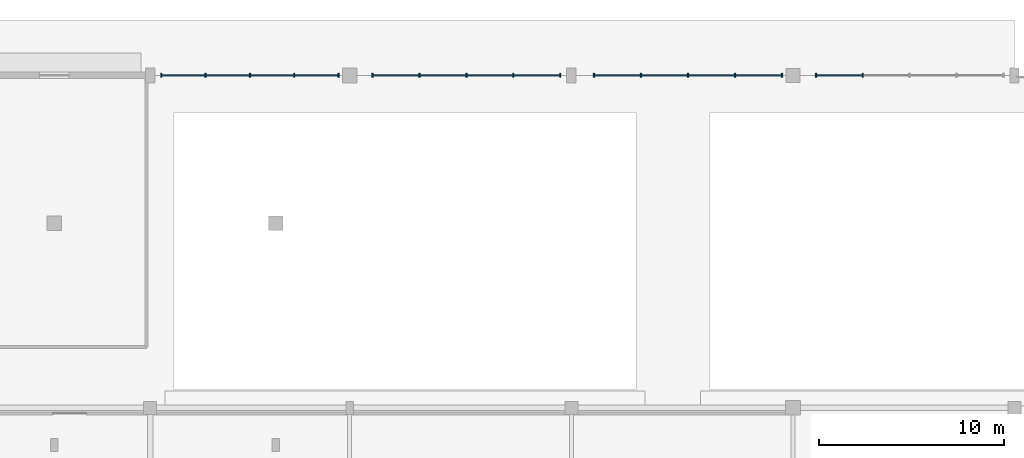
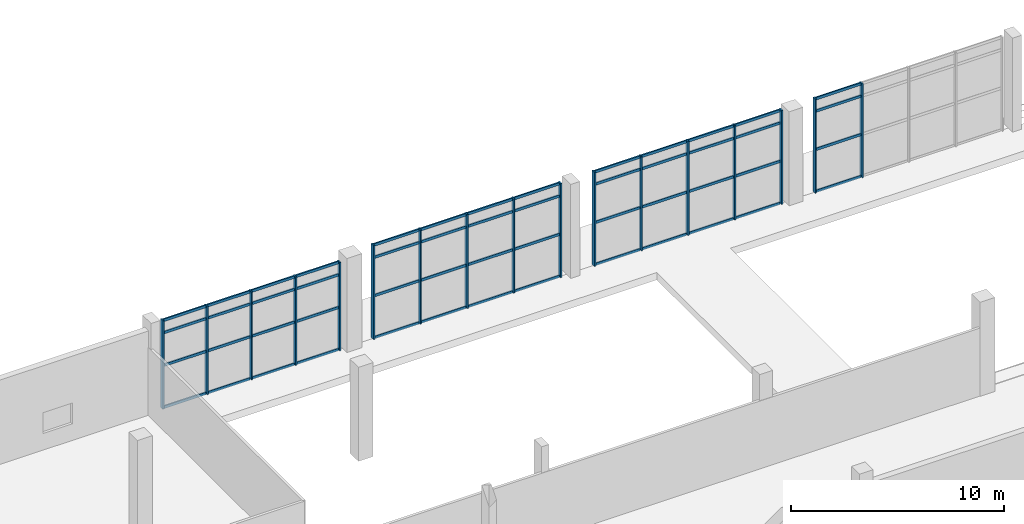
# One storey, part 44 of 85: 69 members, 4 elements without a shape of their own.
"""IFC4 building model written with IfcOpenShell, lengths in metres."""

import ifcopenshell
import ifcopenshell.guid

model = None  # the IFC model being written
_history = None  # IfcOwnerHistory: only IFC2X3 demands one
_inside = {}  # id of a spatial element -> (the spatial element, [elements in it])
_under = {}  # id of a project, library or spatial element -> (it, [spatial elements below it])
_declared = {}  # id of a project -> (the project, [libraries it declares])
_typed = {}  # id of a type object -> (the type object, [elements of that type])
_made_of = {}  # id of a material, layer set ... -> (it, [elements and type objects made of it])


def new_model(schema):
    """Start an empty IFC model of exactly this schema.

    Asked for "IFC4X3", IfcOpenShell would pick the latest addendum, in which some entities
    have other attributes; the version numbers below select the first issue.
    IFC2X3 requires an IfcOwnerHistory on every rooted entity: one is made here for all.
    """
    global model, _history
    if schema == "IFC4X3":
        model = ifcopenshell.file(schema_version=(4, 3, 0, 0))
    else:
        model = ifcopenshell.file(schema=schema)
    _inside.clear()
    _under.clear()
    _declared.clear()
    _typed.clear()
    _made_of.clear()
    _history = None
    if model.schema == "IFC2X3":
        org = make("IfcOrganization", Name="unknown")
        user = make(
            "IfcPersonAndOrganization",
            ThePerson=make("IfcPerson", FamilyName="unknown"),
            TheOrganization=org,
        )
        app = make(
            "IfcApplication",
            ApplicationDeveloper=org,
            Version="unknown",
            ApplicationFullName="unknown",
            ApplicationIdentifier="unknown",
        )
        _history = make(
            "IfcOwnerHistory",
            OwningUser=user,
            OwningApplication=app,
            ChangeAction="ADDED",
            CreationDate=0,
        )
    return model


def make(cls, **values):
    """One entity of the class cls with the attributes given. An attribute that is None is left unset."""
    return model.create_entity(
        cls, **{name: value for name, value in values.items() if value is not None}
    )


def rooted(cls, **values):
    """An entity with a GlobalId (a new one), such as an element, a storey or a relation."""
    return make(cls, GlobalId=ifcopenshell.guid.new(), OwnerHistory=_history, **values)


def si_unit(unit_type, name, prefix=None):
    """IfcSIUnit, for example si_unit("LENGTHUNIT", "METRE", prefix="MILLI")."""
    return make("IfcSIUnit", UnitType=unit_type, Prefix=prefix, Name=name)


def assignment(units):
    """IfcUnitAssignment: the units of a project."""
    return None if units is None else make("IfcUnitAssignment", Units=units)


def point(xyz):
    """IfcCartesianPoint."""
    return None if xyz is None else make("IfcCartesianPoint", Coordinates=xyz)


def direction(xyz):
    """IfcDirection."""
    return None if xyz is None else make("IfcDirection", DirectionRatios=xyz)


def frame(location, z_axis=None, x_axis=None):
    """IfcAxis2Placement3D, a coordinate frame: its origin and axes. An axis left out is left unset."""
    return make(
        "IfcAxis2Placement3D",
        Location=point(location),
        Axis=direction(z_axis),
        RefDirection=direction(x_axis),
    )


def frame_2d(location, x_axis=None):
    """IfcAxis2Placement2D, a coordinate frame in the plane: its origin and x axis."""
    return make(
        "IfcAxis2Placement2D", Location=point(location), RefDirection=direction(x_axis)
    )


def origin():
    """The frame at (0, 0, 0) with its axes left unset."""
    return frame((0.0, 0.0, 0.0))


def origin_2d():
    """The frame at (0, 0) in the plane with its x axis left unset."""
    return frame_2d((0.0, 0.0))


def place(relative_to, where):
    """IfcLocalPlacement: puts the frame where relative to a parent placement (None: the world)."""
    return make(
        "IfcLocalPlacement", PlacementRelTo=relative_to, RelativePlacement=where
    )


def context(
    kind, dimensions, precision=None, world=None, true_north=None, identifier=None
):
    """IfcGeometricRepresentationContext, for example the 3D "Model" context."""
    return make(
        "IfcGeometricRepresentationContext",
        ContextIdentifier=identifier,
        ContextType=kind,
        CoordinateSpaceDimension=dimensions,
        Precision=precision,
        WorldCoordinateSystem=world,
        TrueNorth=true_north,
    )


def subcontext(parent, identifier, kind, view, scale=None):
    """IfcGeometricRepresentationSubContext, for example "Body" below "Model"."""
    return make(
        "IfcGeometricRepresentationSubContext",
        ContextIdentifier=identifier,
        ContextType=kind,
        ParentContext=parent,
        TargetScale=scale,
        TargetView=view,
    )


def project(units=None, contexts=None):
    """IfcProject with its units and contexts."""
    return rooted(
        "IfcProject",
        Name="project",
        RepresentationContexts=contexts,
        UnitsInContext=assignment(units),
    )


def spatial(cls, under=None, at=None, **own):
    """A site, building, storey or space (cls), placed at a placement, below another one or the project."""
    s = rooted(cls, ObjectPlacement=at, **own)
    if under is not None:
        _under.setdefault(under.id(), (under, []))[1].append(s)
    return s


def profile(cls, at=None, kind="AREA", **sizes):
    """A parametric profile (cls). Its sizes go by their IFC names, for example OverallWidth=200.0."""
    return make(cls, ProfileType=kind, Position=at, **sizes)


def rectangle(**sizes):
    """IfcRectangleProfileDef."""
    return profile("IfcRectangleProfileDef", **sizes)


def extrude(swept, where, along, depth):
    """IfcExtrudedAreaSolid: the profile swept, set in the frame where, extruded along a direction by depth."""
    return make(
        "IfcExtrudedAreaSolid",
        SweptArea=swept,
        Position=where,
        ExtrudedDirection=direction(along),
        Depth=depth,
    )


def shape(context_of_items, identifier, shape_type, items):
    """IfcShapeRepresentation: the items that make up one representation, for example the "Body"."""
    return make(
        "IfcShapeRepresentation",
        ContextOfItems=context_of_items,
        RepresentationIdentifier=identifier,
        RepresentationType=shape_type,
        Items=items,
    )


def material(Name=None, Category=None):
    """IfcMaterial."""
    return make("IfcMaterial", Name=Name, Category=Category)


def material_profile(
    of_material, cross_section, Name=None, Category=None, Priority=None
):
    """IfcMaterialProfile: a cross section and its material."""
    return make(
        "IfcMaterialProfile",
        Name=Name,
        Material=of_material,
        Profile=cross_section,
        Priority=Priority,
        Category=Category,
    )


def profile_set(profiles, Name=None, composite=None):
    """IfcMaterialProfileSet."""
    return make(
        "IfcMaterialProfileSet",
        Name=Name,
        MaterialProfiles=profiles,
        CompositeProfile=composite,
    )


def made_of(thing, what):
    """Note that an element or type object is made of a material, layer set ...; save() writes the relation."""
    if what is not None:
        _made_of.setdefault(what.id(), (what, []))[1].append(thing)
    return thing


def type_object(cls, material=None, **own):
    """A type object (cls), such as IfcWallType, which elements share."""
    return made_of(rooted(cls, **own), material)


def element(
    cls,
    number,
    at=None,
    inside=None,
    cuts=None,
    type_object=None,
    material=None,
    context=None,
    identifier="Body",
    shape_type=None,
    held_by="IfcProductDefinitionShape",
    body=None,
    shapes=None,
    **own,
):
    """One element of the class cls, such as IfcWall. Its Tag is "e" and its number.

    at: its placement. inside: the storey or other place that contains it. cuts: it is an
    opening in that element (IfcRelVoidsElement). A single representation is given by context,
    identifier, shape_type and body (its items); several are given by shapes. held_by: the class
    of the entity that holds the representations. save() writes the other relations.
    """
    e = rooted(cls, Tag="e%d" % number, ObjectPlacement=at, **own)
    if body is not None:
        shapes = [shape(context, identifier, shape_type, body)]
    if shapes is not None:
        e.Representation = make(held_by, Representations=shapes)
    if inside is not None:
        _inside.setdefault(inside.id(), (inside, []))[1].append(e)
    if cuts is not None:
        rooted(
            "IfcRelVoidsElement", RelatingBuildingElement=cuts, RelatedOpeningElement=e
        )
    if type_object is not None:
        _typed.setdefault(type_object.id(), (type_object, []))[1].append(e)
    return made_of(e, material)


def aggregate(whole, parts):
    """IfcRelAggregates: a whole, such as a stair, and the parts it consists of."""
    return rooted("IfcRelAggregates", RelatingObject=whole, RelatedObjects=parts)


def save(model, path):
    """Write the relations noted so far, then the file.

    IfcRelAggregates (storeys below a building ...), IfcRelContainedInSpatialStructure (elements
    in a storey), IfcRelDefinesByType, IfcRelAssociatesMaterial and IfcRelDeclares: one each for
    every whole, place, type object, material and project.
    """
    for whole, parts in _under.values():
        aggregate(whole, parts)
    for where, things in _inside.values():
        rooted(
            "IfcRelContainedInSpatialStructure",
            RelatedElements=things,
            RelatingStructure=where,
        )
    for kind, things in _typed.values():
        rooted("IfcRelDefinesByType", RelatedObjects=things, RelatingType=kind)
    for what, things in _made_of.values():
        rooted("IfcRelAssociatesMaterial", RelatedObjects=things, RelatingMaterial=what)
    for by, libraries in _declared.values():
        rooted("IfcRelDeclares", RelatingContext=by, RelatedDefinitions=libraries)
    model.write(path)


model = new_model("IFC4")

# Units and contexts
model_context = context("Model", 3, precision=1e-05, world=origin(), true_north=direction((0.0, 1.0)))
body_context = subcontext(model_context, "Body", "Model", "MODEL_VIEW")
ifc_project = project(units=[si_unit("LENGTHUNIT", "METRE"), si_unit("AREAUNIT", "SQUARE_METRE"), si_unit("VOLUMEUNIT", "CUBIC_METRE"), si_unit("PLANEANGLEUNIT", "RADIAN"), si_unit("MASSUNIT", "GRAM", prefix="KILO"), si_unit("THERMODYNAMICTEMPERATUREUNIT", "KELVIN"), si_unit("POWERUNIT", "WATT")], contexts=[model_context])

# Site, building, storey
site_placement = place(None, origin())
site = spatial("IfcSite", under=ifc_project, at=site_placement, CompositionType="ELEMENT")
building_placement = place(site_placement, origin())
building = spatial("IfcBuilding", under=site, at=building_placement, Name="Solmara Park Aquatics Centre", CompositionType="ELEMENT")
storey_placement = place(building_placement, origin())
storey = spatial("IfcBuildingStorey", under=building, at=storey_placement, Name="L00", CompositionType="ELEMENT", Elevation=0.0)

# Curtain wall, members
ifc_material_1 = material(Name="Anodised Aluminium Curtain Wall Framing", Category="aluminium")
curtain_wall_type = type_object("IfcCurtainWallType", Name="ARC-CW-SYS01", PredefinedType="USERDEFINED", material=ifc_material_1)
curtain_wall_1_placement = place(storey_placement, origin())
curtain_wall_1 = element("IfcCurtainWall", 1, at=curtain_wall_1_placement, inside=storey, type_object=curtain_wall_type, Name="Curtain Wall CW-113", ObjectType="CURTAIN WALL", PredefinedType="USERDEFINED")
ifc_material_2 = material(Name="Anodised Aluminium Alloy 6063-T6", Category="aluminium")
ifc_material_profile_1 = material_profile(ifc_material_2, rectangle(XDim=0.074951171875, YDim=0.219970703125, at=origin_2d()), Name="ALU MULLION 75x220")
ifc_profile_set_1 = profile_set([ifc_material_profile_1], Name="Anodised Aluminium Alloy 6063-T6")
member_type_1 = type_object("IfcMemberType", Name="ARC-CWM-75x220", PredefinedType="MULLION", material=ifc_profile_set_1)
member_1_placement = place(storey_placement, frame((109.800048828125, 136.0, 0.0), z_axis=(0.0, 0.0, 1.0), x_axis=(1.0, 0.0, 0.0)))
member_1 = element("IfcMember", 2, at=member_1_placement, type_object=member_type_1, Name="CW-113 mullion 1", PredefinedType="MULLION", context=body_context, shape_type="SweptSolid", body=[
    extrude(rectangle(XDim=0.074951171875, YDim=0.219970703125, at=origin_2d()), origin(), (0.0, 0.0, 1.0), 5.080078125),
])
member_2_placement = place(storey_placement, frame((112.199951171875, 136.0, 0.0), z_axis=(0.0, 0.0, 1.0), x_axis=(1.0, 0.0, 0.0)))
member_2 = element("IfcMember", 3, at=member_2_placement, type_object=member_type_1, Name="CW-113 mullion 2", PredefinedType="MULLION", context=body_context, shape_type="SweptSolid", body=[
    extrude(rectangle(XDim=0.074951171875, YDim=0.219970703125, at=origin_2d()), origin(), (0.0, 0.0, 1.0), 5.080078125),
])
member_3_placement = place(storey_placement, frame((114.60009765625, 136.0, 0.0), z_axis=(0.0, 0.0, 1.0), x_axis=(1.0, 0.0, 0.0)))
member_3 = element("IfcMember", 4, at=member_3_placement, type_object=member_type_1, Name="CW-113 mullion 3", PredefinedType="MULLION", context=body_context, shape_type="SweptSolid", body=[
    extrude(rectangle(XDim=0.074951171875, YDim=0.219970703125, at=origin_2d()), origin(), (0.0, 0.0, 1.0), 5.080078125),
])
member_4_placement = place(storey_placement, frame((117.0, 136.0, 0.0), z_axis=(0.0, 0.0, 1.0), x_axis=(1.0, 0.0, 0.0)))
member_4 = element("IfcMember", 5, at=member_4_placement, type_object=member_type_1, Name="CW-113 mullion 4", PredefinedType="MULLION", context=body_context, shape_type="SweptSolid", body=[
    extrude(rectangle(XDim=0.074951171875, YDim=0.219970703125, at=origin_2d()), origin(), (0.0, 0.0, 1.0), 5.080078125),
])
member_5_placement = place(storey_placement, frame((119.39990234375, 136.0, 0.0), z_axis=(0.0, 0.0, 1.0), x_axis=(1.0, 0.0, 0.0)))
member_5 = element("IfcMember", 6, at=member_5_placement, type_object=member_type_1, Name="CW-113 mullion 5", PredefinedType="MULLION", context=body_context, shape_type="SweptSolid", body=[
    extrude(rectangle(XDim=0.074951171875, YDim=0.219970703125, at=origin_2d()), origin(), (0.0, 0.0, 1.0), 5.080078125),
])

curtain_wall_2_placement = place(storey_placement, origin())
curtain_wall_2 = element("IfcCurtainWall", 7, at=curtain_wall_2_placement, inside=storey, type_object=curtain_wall_type, Name="Curtain Wall CW-114", ObjectType="CURTAIN WALL", PredefinedType="USERDEFINED")
member_6_placement = place(storey_placement, frame((121.239990234375, 136.0, 0.0), z_axis=(0.0, 0.0, 1.0), x_axis=(1.0, 0.0, 0.0)))
member_6 = element("IfcMember", 8, at=member_6_placement, type_object=member_type_1, Name="CW-114 mullion 1", PredefinedType="MULLION", context=body_context, shape_type="SweptSolid", body=[
    extrude(rectangle(XDim=0.074951171875, YDim=0.219970703125, at=origin_2d()), origin(), (0.0, 0.0, 1.0), 5.39990234375),
])
member_7_placement = place(storey_placement, frame((123.780029296875, 136.0, 0.0), z_axis=(0.0, 0.0, 1.0), x_axis=(1.0, 0.0, 0.0)))
member_7 = element("IfcMember", 9, at=member_7_placement, type_object=member_type_1, Name="CW-114 mullion 2", PredefinedType="MULLION", context=body_context, shape_type="SweptSolid", body=[
    extrude(rectangle(XDim=0.074951171875, YDim=0.219970703125, at=origin_2d()), origin(), (0.0, 0.0, 1.0), 5.39990234375),
])
member_8_placement = place(storey_placement, frame((126.320068359375, 136.0, 0.0), z_axis=(0.0, 0.0, 1.0), x_axis=(1.0, 0.0, 0.0)))
member_8 = element("IfcMember", 10, at=member_8_placement, type_object=member_type_1, Name="CW-114 mullion 3", PredefinedType="MULLION", context=body_context, shape_type="SweptSolid", body=[
    extrude(rectangle(XDim=0.074951171875, YDim=0.219970703125, at=origin_2d()), origin(), (0.0, 0.0, 1.0), 5.39990234375),
])
member_9_placement = place(storey_placement, frame((128.860107421875, 136.0, 0.0), z_axis=(0.0, 0.0, 1.0), x_axis=(1.0, 0.0, 0.0)))
member_9 = element("IfcMember", 11, at=member_9_placement, type_object=member_type_1, Name="CW-114 mullion 4", PredefinedType="MULLION", context=body_context, shape_type="SweptSolid", body=[
    extrude(rectangle(XDim=0.074951171875, YDim=0.219970703125, at=origin_2d()), origin(), (0.0, 0.0, 1.0), 5.39990234375),
])
member_10_placement = place(storey_placement, frame((131.39990234375, 136.0, 0.0), z_axis=(0.0, 0.0, 1.0), x_axis=(1.0, 0.0, 0.0)))
member_10 = element("IfcMember", 12, at=member_10_placement, type_object=member_type_1, Name="CW-114 mullion 5", PredefinedType="MULLION", context=body_context, shape_type="SweptSolid", body=[
    extrude(rectangle(XDim=0.074951171875, YDim=0.219970703125, at=origin_2d()), origin(), (0.0, 0.0, 1.0), 5.39990234375),
])

curtain_wall_3_placement = place(storey_placement, origin())
curtain_wall_3 = element("IfcCurtainWall", 13, at=curtain_wall_3_placement, inside=storey, type_object=curtain_wall_type, Name="Curtain Wall CW-115", ObjectType="CURTAIN WALL", PredefinedType="USERDEFINED")
member_11_placement = place(storey_placement, frame((133.239990234375, 136.0, 0.0), z_axis=(0.0, 0.0, 1.0), x_axis=(1.0, 0.0, 0.0)))
member_11 = element("IfcMember", 14, at=member_11_placement, type_object=member_type_1, Name="CW-115 mullion 1", PredefinedType="MULLION", context=body_context, shape_type="SweptSolid", body=[
    extrude(rectangle(XDim=0.074951171875, YDim=0.219970703125, at=origin_2d()), origin(), (0.0, 0.0, 1.0), 5.39990234375),
])
member_12_placement = place(storey_placement, frame((135.780029296875, 136.0, 0.0), z_axis=(0.0, 0.0, 1.0), x_axis=(1.0, 0.0, 0.0)))
member_12 = element("IfcMember", 15, at=member_12_placement, type_object=member_type_1, Name="CW-115 mullion 2", PredefinedType="MULLION", context=body_context, shape_type="SweptSolid", body=[
    extrude(rectangle(XDim=0.074951171875, YDim=0.219970703125, at=origin_2d()), origin(), (0.0, 0.0, 1.0), 5.39990234375),
])
member_13_placement = place(storey_placement, frame((138.320068359375, 136.0, 0.0), z_axis=(0.0, 0.0, 1.0), x_axis=(1.0, 0.0, 0.0)))
member_13 = element("IfcMember", 16, at=member_13_placement, type_object=member_type_1, Name="CW-115 mullion 3", PredefinedType="MULLION", context=body_context, shape_type="SweptSolid", body=[
    extrude(rectangle(XDim=0.074951171875, YDim=0.219970703125, at=origin_2d()), origin(), (0.0, 0.0, 1.0), 5.39990234375),
])
member_14_placement = place(storey_placement, frame((140.860107421875, 136.0, 0.0), z_axis=(0.0, 0.0, 1.0), x_axis=(1.0, 0.0, 0.0)))
member_14 = element("IfcMember", 17, at=member_14_placement, type_object=member_type_1, Name="CW-115 mullion 4", PredefinedType="MULLION", context=body_context, shape_type="SweptSolid", body=[
    extrude(rectangle(XDim=0.074951171875, YDim=0.219970703125, at=origin_2d()), origin(), (0.0, 0.0, 1.0), 5.39990234375),
])
member_15_placement = place(storey_placement, frame((143.39990234375, 136.0, 0.0), z_axis=(0.0, 0.0, 1.0), x_axis=(1.0, 0.0, 0.0)))
member_15 = element("IfcMember", 18, at=member_15_placement, type_object=member_type_1, Name="CW-115 mullion 5", PredefinedType="MULLION", context=body_context, shape_type="SweptSolid", body=[
    extrude(rectangle(XDim=0.074951171875, YDim=0.219970703125, at=origin_2d()), origin(), (0.0, 0.0, 1.0), 5.39990234375),
])

curtain_wall_4_placement = place(storey_placement, origin())
curtain_wall_4 = element("IfcCurtainWall", 19, at=curtain_wall_4_placement, inside=storey, type_object=curtain_wall_type, Name="Curtain Wall CW-116", ObjectType="CURTAIN WALL", PredefinedType="USERDEFINED")
member_16_placement = place(storey_placement, frame((145.239990234375, 136.0, 0.0), z_axis=(0.0, 0.0, 1.0), x_axis=(1.0, 0.0, 0.0)))
member_16 = element("IfcMember", 20, at=member_16_placement, type_object=member_type_1, Name="CW-116 mullion 1", PredefinedType="MULLION", context=body_context, shape_type="SweptSolid", body=[
    extrude(rectangle(XDim=0.074951171875, YDim=0.219970703125, at=origin_2d()), origin(), (0.0, 0.0, 1.0), 5.39990234375),
])
member_17_placement = place(storey_placement, frame((147.780029296875, 136.0, 0.0), z_axis=(0.0, 0.0, 1.0), x_axis=(1.0, 0.0, 0.0)))
member_17 = element("IfcMember", 21, at=member_17_placement, type_object=member_type_1, Name="CW-116 mullion 2", PredefinedType="MULLION", context=body_context, shape_type="SweptSolid", body=[
    extrude(rectangle(XDim=0.074951171875, YDim=0.219970703125, at=origin_2d()), origin(), (0.0, 0.0, 1.0), 5.39990234375),
])

# Member
ifc_material_profile_2 = material_profile(ifc_material_2, rectangle(XDim=0.074951171875, YDim=0.14990234375, at=origin_2d()), Name="ALU TRANSOM 75x150")
ifc_profile_set_2 = profile_set([ifc_material_profile_2], Name="Anodised Aluminium Alloy 6063-T6")
member_type_2 = type_object("IfcMemberType", Name="ARC-CWT-75x150", PredefinedType="USERDEFINED", material=ifc_profile_set_2)
member_18_placement = place(storey_placement, frame((109.820068359375, 136.0, 0.0400390625), z_axis=(1.0, 0.0, 0.0), x_axis=(0.0, 1.0, 0.0)))
member_18 = element("IfcMember", 22, at=member_18_placement, type_object=member_type_2, Name="CW-113 transom 1", ObjectType="TRANSOM", PredefinedType="USERDEFINED", context=body_context, shape_type="SweptSolid", body=[
    extrude(rectangle(XDim=0.074951171875, YDim=0.14990234375, at=origin_2d()), origin(), (0.0, 0.0, 1.0), 2.31982421875),
])

member_19_placement = place(storey_placement, frame((109.820068359375, 136.0, 2.449951171875), z_axis=(1.0, 0.0, 0.0), x_axis=(0.0, 1.0, 0.0)))
member_19 = element("IfcMember", 23, at=member_19_placement, type_object=member_type_2, Name="CW-113 transom 2", ObjectType="TRANSOM", PredefinedType="USERDEFINED", context=body_context, shape_type="SweptSolid", body=[
    extrude(rectangle(XDim=0.074951171875, YDim=0.14990234375, at=origin_2d()), origin(), (0.0, 0.0, 1.0), 2.31982421875),
])

member_20_placement = place(storey_placement, frame((109.820068359375, 136.0, 4.330078125), z_axis=(1.0, 0.0, 0.0), x_axis=(0.0, 1.0, 0.0)))
member_20 = element("IfcMember", 24, at=member_20_placement, type_object=member_type_2, Name="CW-113 transom 3", ObjectType="TRANSOM", PredefinedType="USERDEFINED", context=body_context, shape_type="SweptSolid", body=[
    extrude(rectangle(XDim=0.074951171875, YDim=0.14990234375, at=origin_2d()), origin(), (0.0, 0.0, 1.0), 2.31982421875),
])

member_21_placement = place(storey_placement, frame((109.820068359375, 136.0, 5.0400390625), z_axis=(1.0, 0.0, 0.0), x_axis=(0.0, 1.0, 0.0)))
member_21 = element("IfcMember", 25, at=member_21_placement, type_object=member_type_2, Name="CW-113 transom 4", ObjectType="TRANSOM", PredefinedType="USERDEFINED", context=body_context, shape_type="SweptSolid", body=[
    extrude(rectangle(XDim=0.074951171875, YDim=0.14990234375, at=origin_2d()), origin(), (0.0, 0.0, 1.0), 2.31982421875),
])

member_22_placement = place(storey_placement, frame((112.219970703125, 136.0, 0.0400390625), z_axis=(1.0, 0.0, 0.0), x_axis=(0.0, 1.0, 0.0)))
member_22 = element("IfcMember", 26, at=member_22_placement, type_object=member_type_2, Name="CW-113 transom 5", ObjectType="TRANSOM", PredefinedType="USERDEFINED", context=body_context, shape_type="SweptSolid", body=[
    extrude(rectangle(XDim=0.074951171875, YDim=0.14990234375, at=origin_2d()), origin(), (0.0, 0.0, 1.0), 2.320068359375),
])

member_23_placement = place(storey_placement, frame((112.219970703125, 136.0, 2.449951171875), z_axis=(1.0, 0.0, 0.0), x_axis=(0.0, 1.0, 0.0)))
member_23 = element("IfcMember", 27, at=member_23_placement, type_object=member_type_2, Name="CW-113 transom 6", ObjectType="TRANSOM", PredefinedType="USERDEFINED", context=body_context, shape_type="SweptSolid", body=[
    extrude(rectangle(XDim=0.074951171875, YDim=0.14990234375, at=origin_2d()), origin(), (0.0, 0.0, 1.0), 2.320068359375),
])

member_24_placement = place(storey_placement, frame((112.219970703125, 136.0, 4.330078125), z_axis=(1.0, 0.0, 0.0), x_axis=(0.0, 1.0, 0.0)))
member_24 = element("IfcMember", 28, at=member_24_placement, type_object=member_type_2, Name="CW-113 transom 7", ObjectType="TRANSOM", PredefinedType="USERDEFINED", context=body_context, shape_type="SweptSolid", body=[
    extrude(rectangle(XDim=0.074951171875, YDim=0.14990234375, at=origin_2d()), origin(), (0.0, 0.0, 1.0), 2.320068359375),
])

member_25_placement = place(storey_placement, frame((112.219970703125, 136.0, 5.0400390625), z_axis=(1.0, 0.0, 0.0), x_axis=(0.0, 1.0, 0.0)))
member_25 = element("IfcMember", 29, at=member_25_placement, type_object=member_type_2, Name="CW-113 transom 8", ObjectType="TRANSOM", PredefinedType="USERDEFINED", context=body_context, shape_type="SweptSolid", body=[
    extrude(rectangle(XDim=0.074951171875, YDim=0.14990234375, at=origin_2d()), origin(), (0.0, 0.0, 1.0), 2.320068359375),
])

member_26_placement = place(storey_placement, frame((114.6201171875, 136.0, 0.0400390625), z_axis=(1.0, 0.0, 0.0), x_axis=(0.0, 1.0, 0.0)))
member_26 = element("IfcMember", 30, at=member_26_placement, type_object=member_type_2, Name="CW-113 transom 9", ObjectType="TRANSOM", PredefinedType="USERDEFINED", context=body_context, shape_type="SweptSolid", body=[
    extrude(rectangle(XDim=0.074951171875, YDim=0.14990234375, at=origin_2d()), origin(), (0.0, 0.0, 1.0), 2.31982421875),
])

member_27_placement = place(storey_placement, frame((114.6201171875, 136.0, 2.449951171875), z_axis=(1.0, 0.0, 0.0), x_axis=(0.0, 1.0, 0.0)))
member_27 = element("IfcMember", 31, at=member_27_placement, type_object=member_type_2, Name="CW-113 transom 10", ObjectType="TRANSOM", PredefinedType="USERDEFINED", context=body_context, shape_type="SweptSolid", body=[
    extrude(rectangle(XDim=0.074951171875, YDim=0.14990234375, at=origin_2d()), origin(), (0.0, 0.0, 1.0), 2.31982421875),
])

member_28_placement = place(storey_placement, frame((114.6201171875, 136.0, 4.330078125), z_axis=(1.0, 0.0, 0.0), x_axis=(0.0, 1.0, 0.0)))
member_28 = element("IfcMember", 32, at=member_28_placement, type_object=member_type_2, Name="CW-113 transom 11", ObjectType="TRANSOM", PredefinedType="USERDEFINED", context=body_context, shape_type="SweptSolid", body=[
    extrude(rectangle(XDim=0.074951171875, YDim=0.14990234375, at=origin_2d()), origin(), (0.0, 0.0, 1.0), 2.31982421875),
])

member_29_placement = place(storey_placement, frame((114.6201171875, 136.0, 5.0400390625), z_axis=(1.0, 0.0, 0.0), x_axis=(0.0, 1.0, 0.0)))
member_29 = element("IfcMember", 33, at=member_29_placement, type_object=member_type_2, Name="CW-113 transom 12", ObjectType="TRANSOM", PredefinedType="USERDEFINED", context=body_context, shape_type="SweptSolid", body=[
    extrude(rectangle(XDim=0.074951171875, YDim=0.14990234375, at=origin_2d()), origin(), (0.0, 0.0, 1.0), 2.31982421875),
])

member_30_placement = place(storey_placement, frame((117.02001953125, 136.0, 0.0400390625), z_axis=(1.0, 0.0, 0.0), x_axis=(0.0, 1.0, 0.0)))
member_30 = element("IfcMember", 34, at=member_30_placement, type_object=member_type_2, Name="CW-113 transom 13", ObjectType="TRANSOM", PredefinedType="USERDEFINED", context=body_context, shape_type="SweptSolid", body=[
    extrude(rectangle(XDim=0.074951171875, YDim=0.14990234375, at=origin_2d()), origin(), (0.0, 0.0, 1.0), 2.320068359375),
])

member_31_placement = place(storey_placement, frame((117.02001953125, 136.0, 2.449951171875), z_axis=(1.0, 0.0, 0.0), x_axis=(0.0, 1.0, 0.0)))
member_31 = element("IfcMember", 35, at=member_31_placement, type_object=member_type_2, Name="CW-113 transom 14", ObjectType="TRANSOM", PredefinedType="USERDEFINED", context=body_context, shape_type="SweptSolid", body=[
    extrude(rectangle(XDim=0.074951171875, YDim=0.14990234375, at=origin_2d()), origin(), (0.0, 0.0, 1.0), 2.320068359375),
])

member_32_placement = place(storey_placement, frame((117.02001953125, 136.0, 4.330078125), z_axis=(1.0, 0.0, 0.0), x_axis=(0.0, 1.0, 0.0)))
member_32 = element("IfcMember", 36, at=member_32_placement, type_object=member_type_2, Name="CW-113 transom 15", ObjectType="TRANSOM", PredefinedType="USERDEFINED", context=body_context, shape_type="SweptSolid", body=[
    extrude(rectangle(XDim=0.074951171875, YDim=0.14990234375, at=origin_2d()), origin(), (0.0, 0.0, 1.0), 2.320068359375),
])

member_33_placement = place(storey_placement, frame((117.02001953125, 136.0, 5.0400390625), z_axis=(1.0, 0.0, 0.0), x_axis=(0.0, 1.0, 0.0)))
member_33 = element("IfcMember", 37, at=member_33_placement, type_object=member_type_2, Name="CW-113 transom 16", ObjectType="TRANSOM", PredefinedType="USERDEFINED", context=body_context, shape_type="SweptSolid", body=[
    extrude(rectangle(XDim=0.074951171875, YDim=0.14990234375, at=origin_2d()), origin(), (0.0, 0.0, 1.0), 2.320068359375),
])

aggregate(curtain_wall_1, [member_1, member_2, member_3, member_4, member_5, member_18, member_19, member_20, member_21, member_22, member_23, member_24, member_25, member_26, member_27, member_28, member_29, member_30, member_31, member_32, member_33])

member_34_placement = place(storey_placement, frame((121.260009765625, 136.0, 0.0400390625), z_axis=(1.0, 0.0, 0.0), x_axis=(0.0, 1.0, 0.0)))
member_34 = element("IfcMember", 38, at=member_34_placement, type_object=member_type_2, Name="CW-114 transom 1", ObjectType="TRANSOM", PredefinedType="USERDEFINED", context=body_context, shape_type="SweptSolid", body=[
    extrude(rectangle(XDim=0.074951171875, YDim=0.14990234375, at=origin_2d()), origin(), (0.0, 0.0, 1.0), 2.4599609375),
])

member_35_placement = place(storey_placement, frame((121.260009765625, 136.0, 2.449951171875), z_axis=(1.0, 0.0, 0.0), x_axis=(0.0, 1.0, 0.0)))
member_35 = element("IfcMember", 39, at=member_35_placement, type_object=member_type_2, Name="CW-114 transom 2", ObjectType="TRANSOM", PredefinedType="USERDEFINED", context=body_context, shape_type="SweptSolid", body=[
    extrude(rectangle(XDim=0.074951171875, YDim=0.14990234375, at=origin_2d()), origin(), (0.0, 0.0, 1.0), 2.4599609375),
])

member_36_placement = place(storey_placement, frame((121.260009765625, 136.0, 4.64990234375), z_axis=(1.0, 0.0, 0.0), x_axis=(0.0, 1.0, 0.0)))
member_36 = element("IfcMember", 40, at=member_36_placement, type_object=member_type_2, Name="CW-114 transom 3", ObjectType="TRANSOM", PredefinedType="USERDEFINED", context=body_context, shape_type="SweptSolid", body=[
    extrude(rectangle(XDim=0.074951171875, YDim=0.14990234375, at=origin_2d()), origin(), (0.0, 0.0, 1.0), 2.4599609375),
])

member_37_placement = place(storey_placement, frame((121.260009765625, 136.0, 5.360107421875), z_axis=(1.0, 0.0, 0.0), x_axis=(0.0, 1.0, 0.0)))
member_37 = element("IfcMember", 41, at=member_37_placement, type_object=member_type_2, Name="CW-114 transom 4", ObjectType="TRANSOM", PredefinedType="USERDEFINED", context=body_context, shape_type="SweptSolid", body=[
    extrude(rectangle(XDim=0.074951171875, YDim=0.14990234375, at=origin_2d()), origin(), (0.0, 0.0, 1.0), 2.4599609375),
])

member_38_placement = place(storey_placement, frame((123.800048828125, 136.0, 0.0400390625), z_axis=(1.0, 0.0, 0.0), x_axis=(0.0, 1.0, 0.0)))
member_38 = element("IfcMember", 42, at=member_38_placement, type_object=member_type_2, Name="CW-114 transom 5", ObjectType="TRANSOM", PredefinedType="USERDEFINED", context=body_context, shape_type="SweptSolid", body=[
    extrude(rectangle(XDim=0.074951171875, YDim=0.14990234375, at=origin_2d()), origin(), (0.0, 0.0, 1.0), 2.4599609375),
])

member_39_placement = place(storey_placement, frame((123.800048828125, 136.0, 2.449951171875), z_axis=(1.0, 0.0, 0.0), x_axis=(0.0, 1.0, 0.0)))
member_39 = element("IfcMember", 43, at=member_39_placement, type_object=member_type_2, Name="CW-114 transom 6", ObjectType="TRANSOM", PredefinedType="USERDEFINED", context=body_context, shape_type="SweptSolid", body=[
    extrude(rectangle(XDim=0.074951171875, YDim=0.14990234375, at=origin_2d()), origin(), (0.0, 0.0, 1.0), 2.4599609375),
])

member_40_placement = place(storey_placement, frame((123.800048828125, 136.0, 4.64990234375), z_axis=(1.0, 0.0, 0.0), x_axis=(0.0, 1.0, 0.0)))
member_40 = element("IfcMember", 44, at=member_40_placement, type_object=member_type_2, Name="CW-114 transom 7", ObjectType="TRANSOM", PredefinedType="USERDEFINED", context=body_context, shape_type="SweptSolid", body=[
    extrude(rectangle(XDim=0.074951171875, YDim=0.14990234375, at=origin_2d()), origin(), (0.0, 0.0, 1.0), 2.4599609375),
])

member_41_placement = place(storey_placement, frame((123.800048828125, 136.0, 5.360107421875), z_axis=(1.0, 0.0, 0.0), x_axis=(0.0, 1.0, 0.0)))
member_41 = element("IfcMember", 45, at=member_41_placement, type_object=member_type_2, Name="CW-114 transom 8", ObjectType="TRANSOM", PredefinedType="USERDEFINED", context=body_context, shape_type="SweptSolid", body=[
    extrude(rectangle(XDim=0.074951171875, YDim=0.14990234375, at=origin_2d()), origin(), (0.0, 0.0, 1.0), 2.4599609375),
])

member_42_placement = place(storey_placement, frame((126.340087890625, 136.0, 0.0400390625), z_axis=(1.0, 0.0, 0.0), x_axis=(0.0, 1.0, 0.0)))
member_42 = element("IfcMember", 46, at=member_42_placement, type_object=member_type_2, Name="CW-114 transom 9", ObjectType="TRANSOM", PredefinedType="USERDEFINED", context=body_context, shape_type="SweptSolid", body=[
    extrude(rectangle(XDim=0.074951171875, YDim=0.14990234375, at=origin_2d()), origin(), (0.0, 0.0, 1.0), 2.4599609375),
])

member_43_placement = place(storey_placement, frame((126.340087890625, 136.0, 2.449951171875), z_axis=(1.0, 0.0, 0.0), x_axis=(0.0, 1.0, 0.0)))
member_43 = element("IfcMember", 47, at=member_43_placement, type_object=member_type_2, Name="CW-114 transom 10", ObjectType="TRANSOM", PredefinedType="USERDEFINED", context=body_context, shape_type="SweptSolid", body=[
    extrude(rectangle(XDim=0.074951171875, YDim=0.14990234375, at=origin_2d()), origin(), (0.0, 0.0, 1.0), 2.4599609375),
])

member_44_placement = place(storey_placement, frame((126.340087890625, 136.0, 4.64990234375), z_axis=(1.0, 0.0, 0.0), x_axis=(0.0, 1.0, 0.0)))
member_44 = element("IfcMember", 48, at=member_44_placement, type_object=member_type_2, Name="CW-114 transom 11", ObjectType="TRANSOM", PredefinedType="USERDEFINED", context=body_context, shape_type="SweptSolid", body=[
    extrude(rectangle(XDim=0.074951171875, YDim=0.14990234375, at=origin_2d()), origin(), (0.0, 0.0, 1.0), 2.4599609375),
])

member_45_placement = place(storey_placement, frame((126.340087890625, 136.0, 5.360107421875), z_axis=(1.0, 0.0, 0.0), x_axis=(0.0, 1.0, 0.0)))
member_45 = element("IfcMember", 49, at=member_45_placement, type_object=member_type_2, Name="CW-114 transom 12", ObjectType="TRANSOM", PredefinedType="USERDEFINED", context=body_context, shape_type="SweptSolid", body=[
    extrude(rectangle(XDim=0.074951171875, YDim=0.14990234375, at=origin_2d()), origin(), (0.0, 0.0, 1.0), 2.4599609375),
])

member_46_placement = place(storey_placement, frame((128.8798828125, 136.0, 0.0400390625), z_axis=(1.0, 0.0, 0.0), x_axis=(0.0, 1.0, 0.0)))
member_46 = element("IfcMember", 50, at=member_46_placement, type_object=member_type_2, Name="CW-114 transom 13", ObjectType="TRANSOM", PredefinedType="USERDEFINED", context=body_context, shape_type="SweptSolid", body=[
    extrude(rectangle(XDim=0.074951171875, YDim=0.14990234375, at=origin_2d()), origin(), (0.0, 0.0, 1.0), 2.460205078125),
])

member_47_placement = place(storey_placement, frame((128.8798828125, 136.0, 2.449951171875), z_axis=(1.0, 0.0, 0.0), x_axis=(0.0, 1.0, 0.0)))
member_47 = element("IfcMember", 51, at=member_47_placement, type_object=member_type_2, Name="CW-114 transom 14", ObjectType="TRANSOM", PredefinedType="USERDEFINED", context=body_context, shape_type="SweptSolid", body=[
    extrude(rectangle(XDim=0.074951171875, YDim=0.14990234375, at=origin_2d()), origin(), (0.0, 0.0, 1.0), 2.460205078125),
])

member_48_placement = place(storey_placement, frame((128.8798828125, 136.0, 4.64990234375), z_axis=(1.0, 0.0, 0.0), x_axis=(0.0, 1.0, 0.0)))
member_48 = element("IfcMember", 52, at=member_48_placement, type_object=member_type_2, Name="CW-114 transom 15", ObjectType="TRANSOM", PredefinedType="USERDEFINED", context=body_context, shape_type="SweptSolid", body=[
    extrude(rectangle(XDim=0.074951171875, YDim=0.14990234375, at=origin_2d()), origin(), (0.0, 0.0, 1.0), 2.460205078125),
])

member_49_placement = place(storey_placement, frame((128.8798828125, 136.0, 5.360107421875), z_axis=(1.0, 0.0, 0.0), x_axis=(0.0, 1.0, 0.0)))
member_49 = element("IfcMember", 53, at=member_49_placement, type_object=member_type_2, Name="CW-114 transom 16", ObjectType="TRANSOM", PredefinedType="USERDEFINED", context=body_context, shape_type="SweptSolid", body=[
    extrude(rectangle(XDim=0.074951171875, YDim=0.14990234375, at=origin_2d()), origin(), (0.0, 0.0, 1.0), 2.460205078125),
])

aggregate(curtain_wall_2, [member_6, member_7, member_8, member_9, member_10, member_34, member_35, member_36, member_37, member_38, member_39, member_40, member_41, member_42, member_43, member_44, member_45, member_46, member_47, member_48, member_49])

member_50_placement = place(storey_placement, frame((133.260009765625, 136.0, 0.0400390625), z_axis=(1.0, 0.0, 0.0), x_axis=(0.0, 1.0, 0.0)))
member_50 = element("IfcMember", 54, at=member_50_placement, type_object=member_type_2, Name="CW-115 transom 1", ObjectType="TRANSOM", PredefinedType="USERDEFINED", context=body_context, shape_type="SweptSolid", body=[
    extrude(rectangle(XDim=0.074951171875, YDim=0.14990234375, at=origin_2d()), origin(), (0.0, 0.0, 1.0), 2.4599609375),
])

member_51_placement = place(storey_placement, frame((133.260009765625, 136.0, 2.449951171875), z_axis=(1.0, 0.0, 0.0), x_axis=(0.0, 1.0, 0.0)))
member_51 = element("IfcMember", 55, at=member_51_placement, type_object=member_type_2, Name="CW-115 transom 2", ObjectType="TRANSOM", PredefinedType="USERDEFINED", context=body_context, shape_type="SweptSolid", body=[
    extrude(rectangle(XDim=0.074951171875, YDim=0.14990234375, at=origin_2d()), origin(), (0.0, 0.0, 1.0), 2.4599609375),
])

member_52_placement = place(storey_placement, frame((133.260009765625, 136.0, 4.64990234375), z_axis=(1.0, 0.0, 0.0), x_axis=(0.0, 1.0, 0.0)))
member_52 = element("IfcMember", 56, at=member_52_placement, type_object=member_type_2, Name="CW-115 transom 3", ObjectType="TRANSOM", PredefinedType="USERDEFINED", context=body_context, shape_type="SweptSolid", body=[
    extrude(rectangle(XDim=0.074951171875, YDim=0.14990234375, at=origin_2d()), origin(), (0.0, 0.0, 1.0), 2.4599609375),
])

member_53_placement = place(storey_placement, frame((133.260009765625, 136.0, 5.360107421875), z_axis=(1.0, 0.0, 0.0), x_axis=(0.0, 1.0, 0.0)))
member_53 = element("IfcMember", 57, at=member_53_placement, type_object=member_type_2, Name="CW-115 transom 4", ObjectType="TRANSOM", PredefinedType="USERDEFINED", context=body_context, shape_type="SweptSolid", body=[
    extrude(rectangle(XDim=0.074951171875, YDim=0.14990234375, at=origin_2d()), origin(), (0.0, 0.0, 1.0), 2.4599609375),
])

member_54_placement = place(storey_placement, frame((135.800048828125, 136.0, 0.0400390625), z_axis=(1.0, 0.0, 0.0), x_axis=(0.0, 1.0, 0.0)))
member_54 = element("IfcMember", 58, at=member_54_placement, type_object=member_type_2, Name="CW-115 transom 5", ObjectType="TRANSOM", PredefinedType="USERDEFINED", context=body_context, shape_type="SweptSolid", body=[
    extrude(rectangle(XDim=0.074951171875, YDim=0.14990234375, at=origin_2d()), origin(), (0.0, 0.0, 1.0), 2.4599609375),
])

member_55_placement = place(storey_placement, frame((135.800048828125, 136.0, 2.449951171875), z_axis=(1.0, 0.0, 0.0), x_axis=(0.0, 1.0, 0.0)))
member_55 = element("IfcMember", 59, at=member_55_placement, type_object=member_type_2, Name="CW-115 transom 6", ObjectType="TRANSOM", PredefinedType="USERDEFINED", context=body_context, shape_type="SweptSolid", body=[
    extrude(rectangle(XDim=0.074951171875, YDim=0.14990234375, at=origin_2d()), origin(), (0.0, 0.0, 1.0), 2.4599609375),
])

member_56_placement = place(storey_placement, frame((135.800048828125, 136.0, 4.64990234375), z_axis=(1.0, 0.0, 0.0), x_axis=(0.0, 1.0, 0.0)))
member_56 = element("IfcMember", 60, at=member_56_placement, type_object=member_type_2, Name="CW-115 transom 7", ObjectType="TRANSOM", PredefinedType="USERDEFINED", context=body_context, shape_type="SweptSolid", body=[
    extrude(rectangle(XDim=0.074951171875, YDim=0.14990234375, at=origin_2d()), origin(), (0.0, 0.0, 1.0), 2.4599609375),
])

member_57_placement = place(storey_placement, frame((135.800048828125, 136.0, 5.360107421875), z_axis=(1.0, 0.0, 0.0), x_axis=(0.0, 1.0, 0.0)))
member_57 = element("IfcMember", 61, at=member_57_placement, type_object=member_type_2, Name="CW-115 transom 8", ObjectType="TRANSOM", PredefinedType="USERDEFINED", context=body_context, shape_type="SweptSolid", body=[
    extrude(rectangle(XDim=0.074951171875, YDim=0.14990234375, at=origin_2d()), origin(), (0.0, 0.0, 1.0), 2.4599609375),
])

member_58_placement = place(storey_placement, frame((138.340087890625, 136.0, 0.0400390625), z_axis=(1.0, 0.0, 0.0), x_axis=(0.0, 1.0, 0.0)))
member_58 = element("IfcMember", 62, at=member_58_placement, type_object=member_type_2, Name="CW-115 transom 9", ObjectType="TRANSOM", PredefinedType="USERDEFINED", context=body_context, shape_type="SweptSolid", body=[
    extrude(rectangle(XDim=0.074951171875, YDim=0.14990234375, at=origin_2d()), origin(), (0.0, 0.0, 1.0), 2.4599609375),
])

member_59_placement = place(storey_placement, frame((138.340087890625, 136.0, 2.449951171875), z_axis=(1.0, 0.0, 0.0), x_axis=(0.0, 1.0, 0.0)))
member_59 = element("IfcMember", 63, at=member_59_placement, type_object=member_type_2, Name="CW-115 transom 10", ObjectType="TRANSOM", PredefinedType="USERDEFINED", context=body_context, shape_type="SweptSolid", body=[
    extrude(rectangle(XDim=0.074951171875, YDim=0.14990234375, at=origin_2d()), origin(), (0.0, 0.0, 1.0), 2.4599609375),
])

member_60_placement = place(storey_placement, frame((138.340087890625, 136.0, 4.64990234375), z_axis=(1.0, 0.0, 0.0), x_axis=(0.0, 1.0, 0.0)))
member_60 = element("IfcMember", 64, at=member_60_placement, type_object=member_type_2, Name="CW-115 transom 11", ObjectType="TRANSOM", PredefinedType="USERDEFINED", context=body_context, shape_type="SweptSolid", body=[
    extrude(rectangle(XDim=0.074951171875, YDim=0.14990234375, at=origin_2d()), origin(), (0.0, 0.0, 1.0), 2.4599609375),
])

member_61_placement = place(storey_placement, frame((138.340087890625, 136.0, 5.360107421875), z_axis=(1.0, 0.0, 0.0), x_axis=(0.0, 1.0, 0.0)))
member_61 = element("IfcMember", 65, at=member_61_placement, type_object=member_type_2, Name="CW-115 transom 12", ObjectType="TRANSOM", PredefinedType="USERDEFINED", context=body_context, shape_type="SweptSolid", body=[
    extrude(rectangle(XDim=0.074951171875, YDim=0.14990234375, at=origin_2d()), origin(), (0.0, 0.0, 1.0), 2.4599609375),
])

member_62_placement = place(storey_placement, frame((140.8798828125, 136.0, 0.0400390625), z_axis=(1.0, 0.0, 0.0), x_axis=(0.0, 1.0, 0.0)))
member_62 = element("IfcMember", 66, at=member_62_placement, type_object=member_type_2, Name="CW-115 transom 13", ObjectType="TRANSOM", PredefinedType="USERDEFINED", context=body_context, shape_type="SweptSolid", body=[
    extrude(rectangle(XDim=0.074951171875, YDim=0.14990234375, at=origin_2d()), origin(), (0.0, 0.0, 1.0), 2.460205078125),
])

member_63_placement = place(storey_placement, frame((140.8798828125, 136.0, 2.449951171875), z_axis=(1.0, 0.0, 0.0), x_axis=(0.0, 1.0, 0.0)))
member_63 = element("IfcMember", 67, at=member_63_placement, type_object=member_type_2, Name="CW-115 transom 14", ObjectType="TRANSOM", PredefinedType="USERDEFINED", context=body_context, shape_type="SweptSolid", body=[
    extrude(rectangle(XDim=0.074951171875, YDim=0.14990234375, at=origin_2d()), origin(), (0.0, 0.0, 1.0), 2.460205078125),
])

member_64_placement = place(storey_placement, frame((140.8798828125, 136.0, 4.64990234375), z_axis=(1.0, 0.0, 0.0), x_axis=(0.0, 1.0, 0.0)))
member_64 = element("IfcMember", 68, at=member_64_placement, type_object=member_type_2, Name="CW-115 transom 15", ObjectType="TRANSOM", PredefinedType="USERDEFINED", context=body_context, shape_type="SweptSolid", body=[
    extrude(rectangle(XDim=0.074951171875, YDim=0.14990234375, at=origin_2d()), origin(), (0.0, 0.0, 1.0), 2.460205078125),
])

member_65_placement = place(storey_placement, frame((140.8798828125, 136.0, 5.360107421875), z_axis=(1.0, 0.0, 0.0), x_axis=(0.0, 1.0, 0.0)))
member_65 = element("IfcMember", 69, at=member_65_placement, type_object=member_type_2, Name="CW-115 transom 16", ObjectType="TRANSOM", PredefinedType="USERDEFINED", context=body_context, shape_type="SweptSolid", body=[
    extrude(rectangle(XDim=0.074951171875, YDim=0.14990234375, at=origin_2d()), origin(), (0.0, 0.0, 1.0), 2.460205078125),
])

aggregate(curtain_wall_3, [member_11, member_12, member_13, member_14, member_15, member_50, member_51, member_52, member_53, member_54, member_55, member_56, member_57, member_58, member_59, member_60, member_61, member_62, member_63, member_64, member_65])

member_66_placement = place(storey_placement, frame((145.260009765625, 136.0, 0.0400390625), z_axis=(1.0, 0.0, 0.0), x_axis=(0.0, 1.0, 0.0)))
member_66 = element("IfcMember", 70, at=member_66_placement, type_object=member_type_2, Name="CW-116 transom 1", ObjectType="TRANSOM", PredefinedType="USERDEFINED", context=body_context, shape_type="SweptSolid", body=[
    extrude(rectangle(XDim=0.074951171875, YDim=0.14990234375, at=origin_2d()), origin(), (0.0, 0.0, 1.0), 2.4599609375),
])

member_67_placement = place(storey_placement, frame((145.260009765625, 136.0, 2.449951171875), z_axis=(1.0, 0.0, 0.0), x_axis=(0.0, 1.0, 0.0)))
member_67 = element("IfcMember", 71, at=member_67_placement, type_object=member_type_2, Name="CW-116 transom 2", ObjectType="TRANSOM", PredefinedType="USERDEFINED", context=body_context, shape_type="SweptSolid", body=[
    extrude(rectangle(XDim=0.074951171875, YDim=0.14990234375, at=origin_2d()), origin(), (0.0, 0.0, 1.0), 2.4599609375),
])

member_68_placement = place(storey_placement, frame((145.260009765625, 136.0, 4.64990234375), z_axis=(1.0, 0.0, 0.0), x_axis=(0.0, 1.0, 0.0)))
member_68 = element("IfcMember", 72, at=member_68_placement, type_object=member_type_2, Name="CW-116 transom 3", ObjectType="TRANSOM", PredefinedType="USERDEFINED", context=body_context, shape_type="SweptSolid", body=[
    extrude(rectangle(XDim=0.074951171875, YDim=0.14990234375, at=origin_2d()), origin(), (0.0, 0.0, 1.0), 2.4599609375),
])

member_69_placement = place(storey_placement, frame((145.260009765625, 136.0, 5.360107421875), z_axis=(1.0, 0.0, 0.0), x_axis=(0.0, 1.0, 0.0)))
member_69 = element("IfcMember", 73, at=member_69_placement, type_object=member_type_2, Name="CW-116 transom 4", ObjectType="TRANSOM", PredefinedType="USERDEFINED", context=body_context, shape_type="SweptSolid", body=[
    extrude(rectangle(XDim=0.074951171875, YDim=0.14990234375, at=origin_2d()), origin(), (0.0, 0.0, 1.0), 2.4599609375),
])

aggregate(curtain_wall_4, [member_16, member_17, member_66, member_67, member_68, member_69])

save(model, "model.ifc")
